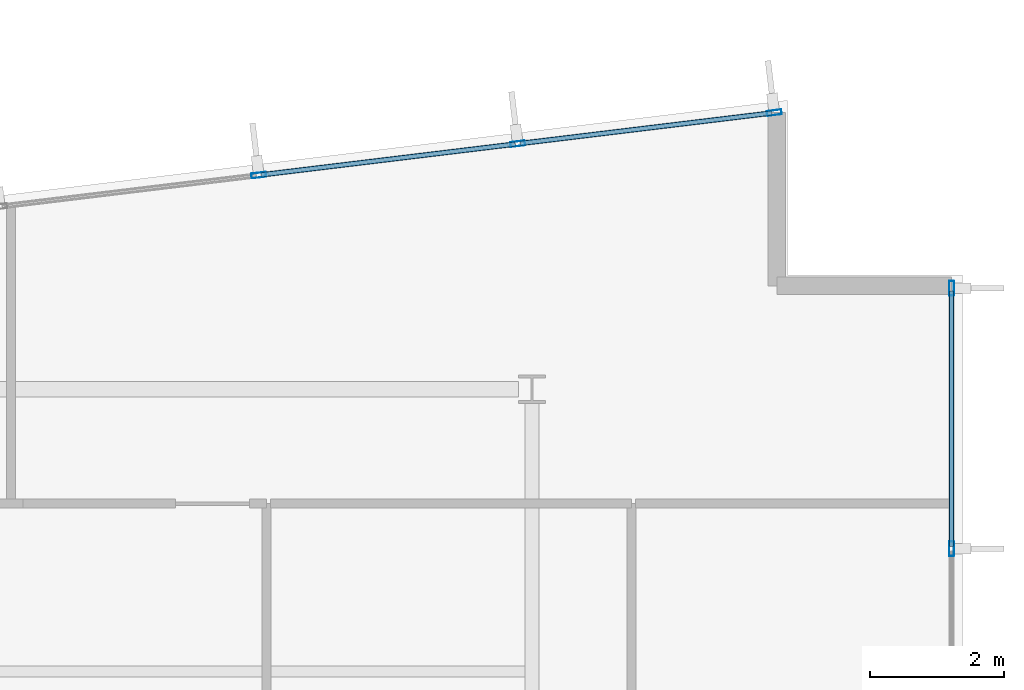
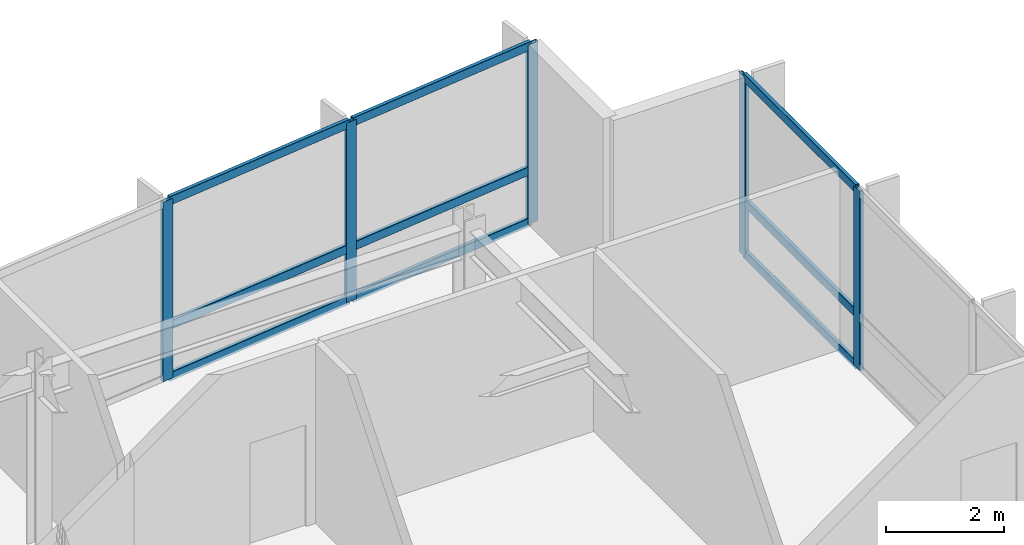
# One storey, part 8 of 18: 14 members, 2 elements without a shape of their own.
"""IFC4 building model written with IfcOpenShell, lengths in metres."""

from ifc_helpers import new_model, si_unit, direction, frame, origin, origin_2d, place, context, subcontext, project, spatial, hollow_rectangle, extrude, material, layer, layer_set, material_profile, profile_set, type_object, element, aggregate, save


model = new_model("IFC4")

# Units and contexts
model_context = context("Model", 3, precision=1e-05, world=origin(), true_north=direction((0.0, 1.0)))
body_context = subcontext(model_context, "Body", "Model", "MODEL_VIEW")
ifc_project = project(units=[si_unit("LENGTHUNIT", "METRE"), si_unit("AREAUNIT", "SQUARE_METRE"), si_unit("VOLUMEUNIT", "CUBIC_METRE"), si_unit("PLANEANGLEUNIT", "RADIAN"), si_unit("MASSUNIT", "GRAM", prefix="KILO")], contexts=[model_context])

# Site, building, storey
site_placement = place(None, origin())
site = spatial("IfcSite", under=ifc_project, at=site_placement, CompositionType="ELEMENT")
building_placement = place(site_placement, origin())
building = spatial("IfcBuilding", under=site, at=building_placement, Name="Varnakote Quay Hospital", CompositionType="ELEMENT")
storey_placement = place(building_placement, frame((0.0, 0.0, 123.10009765625)))
storey = spatial("IfcBuildingStorey", under=building, at=storey_placement, Name="L30", CompositionType="ELEMENT", Elevation=123.10009765625)

# Curtain wall, members
ifc_material_1 = material(Name="Anodised aluminium 6063-T6 Bronze", Category="aluminium")
ifc_layer = layer(ifc_material_1, 0.205078125)
ifc_layer_set = layer_set([ifc_layer], Name="Anodised aluminium 6063-T6 Bronze")
curtain_wall_type = type_object("IfcCurtainWallType", Name="CW-SYS-3", PredefinedType="NOTDEFINED", material=ifc_layer_set)
curtain_wall_1_placement = place(storey_placement, origin())
curtain_wall_1 = element("IfcCurtainWall", 1, at=curtain_wall_1_placement, inside=storey, type_object=curtain_wall_type, Name="L30 Unitised Bronze Curtain Wall 1", PredefinedType="NOTDEFINED")
ifc_material_2 = material(Name="Anodised aluminium 6063-T6 Bronze", Category="aluminium")
ifc_material_profile_1 = material_profile(ifc_material_2, hollow_rectangle(XDim=0.074951171875, YDim=0.219970703125, WallThickness=0.00439453125, InnerFilletRadius=0.00439453125, OuterFilletRadius=0.009033203125, at=origin_2d()), Name="CW-MULL-220x75")
ifc_profile_set_1 = profile_set([ifc_material_profile_1], Name="Anodised aluminium 6063-T6 Bronze")
member_type_1 = type_object("IfcMemberType", Name="CW-MULL-220x75", PredefinedType="MULLION", material=ifc_profile_set_1)
member_1_placement = place(storey_placement, frame((56.639892578125, 26.4267578125, 0.0), z_axis=(0.0, 0.0, 1.0), x_axis=(-1.0, 0.0, 0.0)))
member_1 = element("IfcMember", 2, at=member_1_placement, type_object=member_type_1, Name="-3-L30-1 mullion 6", PredefinedType="MULLION", context=body_context, shape_type="SweptSolid", body=[
    extrude(hollow_rectangle(XDim=0.074951171875, YDim=0.219970703125, WallThickness=0.00439453125, InnerFilletRadius=0.00439453125, OuterFilletRadius=0.009033203125, at=origin_2d()), origin(), (0.0, 0.0, 1.0), 3.7099609375),
])
member_2_placement = place(storey_placement, frame((56.639892578125, 30.302490234375, 0.0), z_axis=(0.0, 0.0, 1.0), x_axis=(-1.0, 0.0, 0.0)))
member_2 = element("IfcMember", 3, at=member_2_placement, type_object=member_type_1, Name="-3-L30-1 mullion 7", PredefinedType="MULLION", context=body_context, shape_type="SweptSolid", body=[
    extrude(hollow_rectangle(XDim=0.074951171875, YDim=0.219970703125, WallThickness=0.00439453125, InnerFilletRadius=0.00439453125, OuterFilletRadius=0.009033203125, at=origin_2d()), origin(), (0.0, 0.0, 1.0), 3.7099609375),
])

curtain_wall_2_placement = place(storey_placement, origin())
curtain_wall_2 = element("IfcCurtainWall", 4, at=curtain_wall_2_placement, inside=storey, type_object=curtain_wall_type, Name="L30 Unitised Bronze Curtain Wall 2", PredefinedType="NOTDEFINED")
member_3_placement = place(storey_placement, frame((54.002685546875, 32.914794921875, 0.0), z_axis=(0.0, 0.0, 1.0), x_axis=(0.12032713492, -0.992734295067, 0.0)))
member_3 = element("IfcMember", 5, at=member_3_placement, type_object=member_type_1, Name="-3-L30-2 mullion 1", PredefinedType="MULLION", context=body_context, shape_type="SweptSolid", body=[
    extrude(hollow_rectangle(XDim=0.074951171875, YDim=0.219970703125, WallThickness=0.00439453125, InnerFilletRadius=0.00439453125, OuterFilletRadius=0.009033203125, at=origin_2d()), origin(), (0.0, 0.0, 1.0), 3.7099609375),
])
member_4_placement = place(storey_placement, frame((50.1875, 32.452392578125, 0.0), z_axis=(0.0, 0.0, 1.0), x_axis=(0.12032713492, -0.992734295067, 0.0)))
member_4 = element("IfcMember", 6, at=member_4_placement, type_object=member_type_1, Name="-3-L30-2 mullion 2", PredefinedType="MULLION", context=body_context, shape_type="SweptSolid", body=[
    extrude(hollow_rectangle(XDim=0.074951171875, YDim=0.219970703125, WallThickness=0.00439453125, InnerFilletRadius=0.00439453125, OuterFilletRadius=0.009033203125, at=origin_2d()), origin(), (0.0, 0.0, 1.0), 3.7099609375),
])
member_5_placement = place(storey_placement, frame((46.3349609375, 31.985595703125, 0.0), z_axis=(0.0, 0.0, 1.0), x_axis=(0.12032713492, -0.992734295067, 0.0)))
member_5 = element("IfcMember", 7, at=member_5_placement, type_object=member_type_1, Name="-3-L30-2 mullion 3", PredefinedType="MULLION", context=body_context, shape_type="SweptSolid", body=[
    extrude(hollow_rectangle(XDim=0.074951171875, YDim=0.219970703125, WallThickness=0.00439453125, InnerFilletRadius=0.00439453125, OuterFilletRadius=0.009033203125, at=origin_2d()), origin(), (0.0, 0.0, 1.0), 3.7099609375),
])

# Member
ifc_material_3 = material(Name="Anodised aluminium 6063-T6 Bronze", Category="aluminium")
ifc_material_profile_2 = material_profile(ifc_material_3, hollow_rectangle(XDim=0.074951171875, YDim=0.179931640625, WallThickness=0.004150390625, InnerFilletRadius=0.004150390625, OuterFilletRadius=0.00830078125, at=origin_2d()), Name="CW-TRAN-180x75")
ifc_profile_set_2 = profile_set([ifc_material_profile_2], Name="Anodised aluminium 6063-T6 Bronze")
member_type_2 = type_object("IfcMemberType", Name="CW-TRAN-180x75", PredefinedType="USERDEFINED", material=ifc_profile_set_2)
member_6_placement = place(storey_placement, frame((56.639892578125, 26.464111328125, 0.037353515625), z_axis=(0.0, 1.0, 0.0), x_axis=(-1.0, 0.0, 0.0)))
member_6 = element("IfcMember", 8, at=member_6_placement, type_object=member_type_2, Name="-3-L30-1 transom 6.1", ObjectType="TRANSOM", PredefinedType="USERDEFINED", context=body_context, shape_type="SweptSolid", body=[
    extrude(hollow_rectangle(XDim=0.074951171875, YDim=0.179931640625, WallThickness=0.004150390625, InnerFilletRadius=0.004150390625, OuterFilletRadius=0.00830078125, at=origin_2d()), origin(), (0.0, 0.0, 1.0), 3.80078125),
])

member_7_placement = place(storey_placement, frame((56.639892578125, 26.464111328125, 1.099853515625), z_axis=(0.0, 1.0, 0.0), x_axis=(-1.0, 0.0, 0.0)))
member_7 = element("IfcMember", 9, at=member_7_placement, type_object=member_type_2, Name="-3-L30-1 transom 6.2", ObjectType="TRANSOM", PredefinedType="USERDEFINED", context=body_context, shape_type="SweptSolid", body=[
    extrude(hollow_rectangle(XDim=0.074951171875, YDim=0.179931640625, WallThickness=0.004150390625, InnerFilletRadius=0.004150390625, OuterFilletRadius=0.00830078125, at=origin_2d()), origin(), (0.0, 0.0, 1.0), 3.80078125),
])

member_8_placement = place(storey_placement, frame((56.639892578125, 26.464111328125, 3.67236328125), z_axis=(0.0, 1.0, 0.0), x_axis=(-1.0, 0.0, 0.0)))
member_8 = element("IfcMember", 10, at=member_8_placement, type_object=member_type_2, Name="-3-L30-1 transom 6.3", ObjectType="TRANSOM", PredefinedType="USERDEFINED", context=body_context, shape_type="SweptSolid", body=[
    extrude(hollow_rectangle(XDim=0.074951171875, YDim=0.179931640625, WallThickness=0.004150390625, InnerFilletRadius=0.004150390625, OuterFilletRadius=0.00830078125, at=origin_2d()), origin(), (0.0, 0.0, 1.0), 3.80078125),
])

aggregate(curtain_wall_1, [member_1, member_2, member_6, member_7, member_8])

member_9_placement = place(storey_placement, frame((53.965576171875, 32.910400390625, 0.037353515625), z_axis=(-0.992735423717, -0.120317822859, 0.0), x_axis=(0.120317822859, -0.992735423717, 0.0)))
member_9 = element("IfcMember", 11, at=member_9_placement, type_object=member_type_2, Name="-3-L30-2 transom 1.1", ObjectType="TRANSOM", PredefinedType="USERDEFINED", context=body_context, shape_type="SweptSolid", body=[
    extrude(hollow_rectangle(XDim=0.074951171875, YDim=0.179931640625, WallThickness=0.004150390625, InnerFilletRadius=0.004150390625, OuterFilletRadius=0.00830078125, at=origin_2d()), origin(), (0.0, 0.0, 1.0), 3.76806640625),
])

member_10_placement = place(storey_placement, frame((53.965576171875, 32.910400390625, 1.099853515625), z_axis=(-0.992735423717, -0.120317822859, 0.0), x_axis=(0.120317822859, -0.992735423717, 0.0)))
member_10 = element("IfcMember", 12, at=member_10_placement, type_object=member_type_2, Name="-3-L30-2 transom 1.2", ObjectType="TRANSOM", PredefinedType="USERDEFINED", context=body_context, shape_type="SweptSolid", body=[
    extrude(hollow_rectangle(XDim=0.074951171875, YDim=0.179931640625, WallThickness=0.004150390625, InnerFilletRadius=0.004150390625, OuterFilletRadius=0.00830078125, at=origin_2d()), origin(), (0.0, 0.0, 1.0), 3.76806640625),
])

member_11_placement = place(storey_placement, frame((53.965576171875, 32.910400390625, 3.67236328125), z_axis=(-0.992735423717, -0.120317822859, 0.0), x_axis=(0.120317822859, -0.992735423717, 0.0)))
member_11 = element("IfcMember", 13, at=member_11_placement, type_object=member_type_2, Name="-3-L30-2 transom 1.3", ObjectType="TRANSOM", PredefinedType="USERDEFINED", context=body_context, shape_type="SweptSolid", body=[
    extrude(hollow_rectangle(XDim=0.074951171875, YDim=0.179931640625, WallThickness=0.004150390625, InnerFilletRadius=0.004150390625, OuterFilletRadius=0.00830078125, at=origin_2d()), origin(), (0.0, 0.0, 1.0), 3.76806640625),
])

member_12_placement = place(storey_placement, frame((50.150390625, 32.447998046875, 0.037353515625), z_axis=(-0.992731924158, -0.120346694005, 0.0), x_axis=(0.120346694005, -0.992731924158, 0.0)))
member_12 = element("IfcMember", 14, at=member_12_placement, type_object=member_type_2, Name="-3-L30-2 transom 2.1", ObjectType="TRANSOM", PredefinedType="USERDEFINED", context=body_context, shape_type="SweptSolid", body=[
    extrude(hollow_rectangle(XDim=0.074951171875, YDim=0.179931640625, WallThickness=0.004150390625, InnerFilletRadius=0.004150390625, OuterFilletRadius=0.00830078125, at=origin_2d()), origin(), (0.0, 0.0, 1.0), 3.8056640625),
])

member_13_placement = place(storey_placement, frame((50.150390625, 32.447998046875, 1.099853515625), z_axis=(-0.992731924158, -0.120346694005, 0.0), x_axis=(0.120346694005, -0.992731924158, 0.0)))
member_13 = element("IfcMember", 15, at=member_13_placement, type_object=member_type_2, Name="-3-L30-2 transom 2.2", ObjectType="TRANSOM", PredefinedType="USERDEFINED", context=body_context, shape_type="SweptSolid", body=[
    extrude(hollow_rectangle(XDim=0.074951171875, YDim=0.179931640625, WallThickness=0.004150390625, InnerFilletRadius=0.004150390625, OuterFilletRadius=0.00830078125, at=origin_2d()), origin(), (0.0, 0.0, 1.0), 3.8056640625),
])

member_14_placement = place(storey_placement, frame((50.150390625, 32.447998046875, 3.67236328125), z_axis=(-0.992731924158, -0.120346694005, 0.0), x_axis=(0.120346694005, -0.992731924158, 0.0)))
member_14 = element("IfcMember", 16, at=member_14_placement, type_object=member_type_2, Name="-3-L30-2 transom 2.3", ObjectType="TRANSOM", PredefinedType="USERDEFINED", context=body_context, shape_type="SweptSolid", body=[
    extrude(hollow_rectangle(XDim=0.074951171875, YDim=0.179931640625, WallThickness=0.004150390625, InnerFilletRadius=0.004150390625, OuterFilletRadius=0.00830078125, at=origin_2d()), origin(), (0.0, 0.0, 1.0), 3.8056640625),
])

aggregate(curtain_wall_2, [member_3, member_4, member_5, member_9, member_10, member_11, member_12, member_13, member_14])

save(model, "model.ifc")
